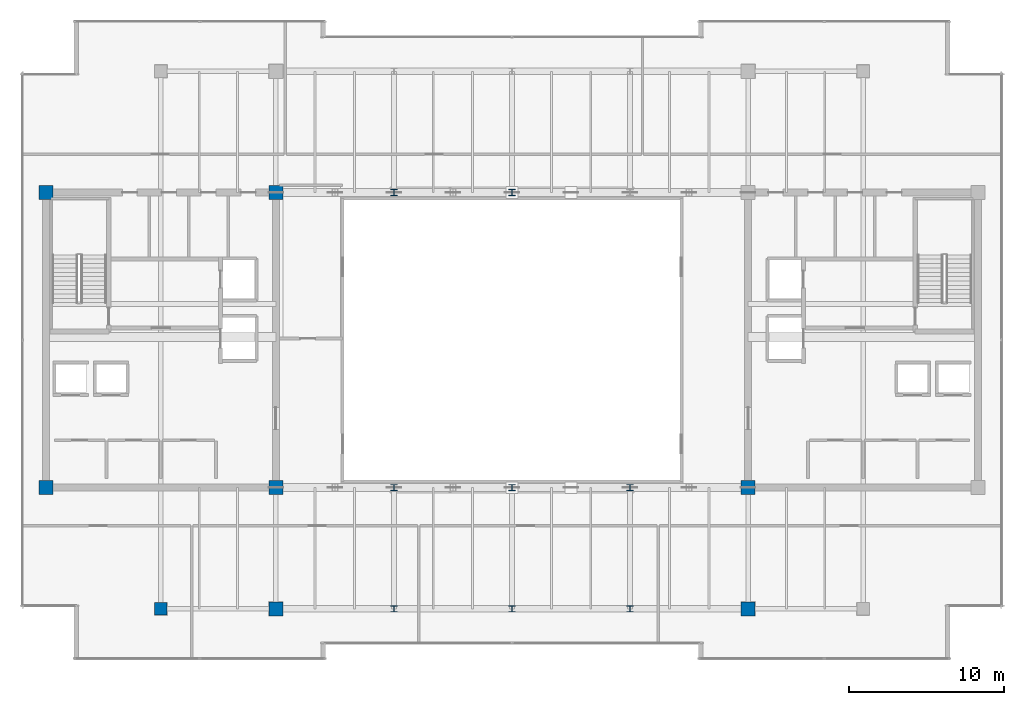
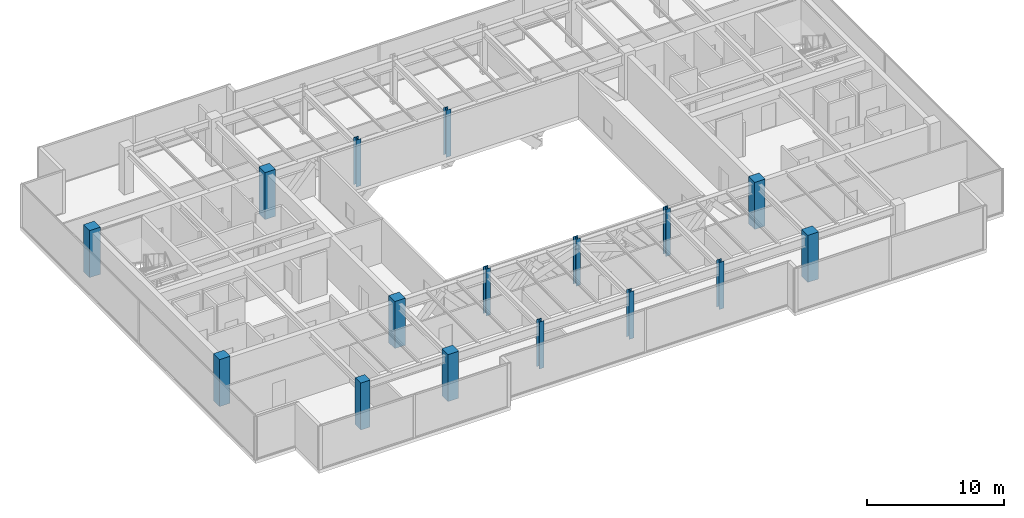
# One storey, part 1 of 32: 16 columns.
"""IFC4 building model written with IfcOpenShell, lengths in metres."""

from ifc_helpers import new_model, si_unit, direction, frame, origin, origin_2d, place, context, subcontext, project, spatial, rectangle, i_section, extrude, source, transform, mapped, material, material_profile, profile_set, type_object, type_shapes, element, save


model = new_model("IFC4")

# Units and contexts
model_context = context("Model", 3, precision=1e-05, world=origin(), true_north=direction((0.0, 1.0)))
body_context = subcontext(model_context, "Body", "Model", "MODEL_VIEW")
ifc_project = project(units=[si_unit("LENGTHUNIT", "METRE"), si_unit("AREAUNIT", "SQUARE_METRE"), si_unit("VOLUMEUNIT", "CUBIC_METRE"), si_unit("PLANEANGLEUNIT", "RADIAN"), si_unit("MASSUNIT", "GRAM", prefix="KILO")], contexts=[model_context])

# Site, building, storey
site_placement = place(None, origin())
site = spatial("IfcSite", under=ifc_project, at=site_placement, CompositionType="ELEMENT")
building_placement = place(site_placement, origin())
building = spatial("IfcBuilding", under=site, at=building_placement, Name="Haelvirn Gate Laboratories", CompositionType="ELEMENT")
storey_placement = place(building_placement, frame((0.0, 0.0, 314.39990234375)))
storey = spatial("IfcBuildingStorey", under=building, at=storey_placement, Name="L75", CompositionType="ELEMENT", Elevation=314.39990234375)

# Columns
ifc_material_1 = material(Name="Concrete C50/60", Category="concrete")
ifc_material_profile_1 = material_profile(ifc_material_1, rectangle(XDim=0.800048828125, YDim=0.800048828125, at=origin_2d()), Name="RC-800x800")
ifc_profile_set_1 = profile_set([ifc_material_profile_1], Name="Concrete C50/60")
column_type_1 = type_object("IfcColumnType", Name="COL-RC-800", PredefinedType="COLUMN", material=ifc_profile_set_1)
shared_shape_1 = source(origin(), body_context, "Body", "SweptSolid", [
    extrude(rectangle(XDim=0.800048828125, YDim=0.800048828125, at=origin_2d()), origin(), (0.0, 0.0, 1.0), 4.2001953125),
])
type_shapes(column_type_1, [shared_shape_1])
column_placement = place(storey_placement, frame((14.800048828125, 7.0, 0.0), z_axis=(0.0, 0.0, 1.0), x_axis=(1.0, 0.0, 0.0)))
element("IfcColumn", 1, at=column_placement, inside=storey, type_object=column_type_1, Name="L75 Column 3B", PredefinedType="COLUMN", context=body_context, shape_type="MappedRepresentation", body=[
    mapped(shared_shape_1, transform((0.0, 0.0, 0.0), scale=1.0)),
])
ifc_material_profile_2 = material_profile(ifc_material_1, rectangle(XDim=0.89990234375, YDim=0.89990234375, at=origin_2d()), Name="RC-900x900")
ifc_profile_set_2 = profile_set([ifc_material_profile_2], Name="Concrete C50/60")
column_type_2 = type_object("IfcColumnType", Name="COL-RC-900", PredefinedType="COLUMN", material=ifc_profile_set_2)
shared_shape_2 = source(origin(), body_context, "Body", "SweptSolid", [
    extrude(rectangle(XDim=0.89990234375, YDim=0.89990234375, at=origin_2d()), origin(), (0.0, 0.0, 1.0), 4.2001953125),
])
type_shapes(column_type_2, [shared_shape_2])
for number, where, z_axis, x_axis, name in (
    (2, (22.199951171875, 7.0, 0.0), (0.0, 0.0, 1.0), (1.0, 0.0, 0.0), "L75 Column 4B"),
    (3, (7.39990234375, 14.800048828125, 0.0), (0.0, 0.0, 1.0), (1.0, 0.0, 0.0), "L75 Column 2C"),
    (4, (22.199951171875, 14.800048828125, 0.0), (0.0, 0.0, 1.0), (1.0, 0.0, 0.0), "L75 Column 4C"),
    (5, (7.39990234375, 33.800048828125, 0.0), (0.0, 0.0, 1.0), (1.0, 0.0, 0.0), "L75 Column 2F"),
    (6, (22.199951171875, 33.800048828125, 0.0), (0.0, 0.0, 1.0), (1.0, 0.0, 0.0), "L75 Column 4F"),
    (7, (52.60009765625, 7.0, 0.0), (0.0, 0.0, 1.0), (1.0, 0.0, 0.0), "L75 Column 8B"),
    (8, (52.60009765625, 14.800048828125, 0.0), (0.0, 0.0, 1.0), (1.0, 0.0, 0.0), "L75 Column 8C"),
):
    element("IfcColumn", number, at=place(storey_placement, frame(where, z_axis=z_axis, x_axis=x_axis)), inside=storey, type_object=column_type_2, Name=name, PredefinedType="COLUMN", context=body_context, shape_type="MappedRepresentation", body=[
        mapped(shared_shape_2, transform((0.0, 0.0, 0.0), scale=1.0)),
    ])
ifc_material_2 = material(Name="Steel SM355", Category="steel")
ifc_material_profile_3 = material_profile(ifc_material_2, i_section(OverallWidth=0.39990234375, OverallDepth=0.39990234375, WebThickness=0.02099609375, FlangeThickness=0.02099609375, at=origin_2d()), Name="H-400x400x21x21")
ifc_profile_set_3 = profile_set([ifc_material_profile_3], Name="Steel SM355")
column_type_3 = type_object("IfcColumnType", Name="COL-H-400", PredefinedType="COLUMN", material=ifc_profile_set_3)
shared_shape_3 = source(origin(), body_context, "Body", "SweptSolid", [
    extrude(i_section(OverallWidth=0.39990234375, OverallDepth=0.39990234375, WebThickness=0.02099609375, FlangeThickness=0.02099609375, at=origin_2d()), origin(), (0.0, 0.0, 1.0), 4.2001953125),
])
type_shapes(column_type_3, [shared_shape_3])
for number, where, z_axis, x_axis, name in (
    (9, (29.800048828125, 7.0, 0.0), (0.0, 0.0, 1.0), (1.0, 0.0, 0.0), "L75 Column 5B"),
    (10, (29.800048828125, 14.800048828125, 0.0), (0.0, 0.0, 1.0), (1.0, 0.0, 0.0), "L75 Column 5C"),
    (11, (29.800048828125, 33.800048828125, 0.0), (0.0, 0.0, 1.0), (1.0, 0.0, 0.0), "L75 Column 5F"),
    (12, (37.39990234375, 7.0, 0.0), (0.0, 0.0, 1.0), (1.0, 0.0, 0.0), "L75 Column 6B"),
    (13, (37.39990234375, 14.800048828125, 0.0), (0.0, 0.0, 1.0), (1.0, 0.0, 0.0), "L75 Column 6C"),
    (14, (37.39990234375, 33.800048828125, 0.0), (0.0, 0.0, 1.0), (1.0, 0.0, 0.0), "L75 Column 6F"),
    (15, (45.0, 7.0, 0.0), (0.0, 0.0, 1.0), (1.0, 0.0, 0.0), "L75 Column 7B"),
    (16, (45.0, 14.800048828125, 0.0), (0.0, 0.0, 1.0), (1.0, 0.0, 0.0), "L75 Column 7C"),
):
    element("IfcColumn", number, at=place(storey_placement, frame(where, z_axis=z_axis, x_axis=x_axis)), inside=storey, type_object=column_type_3, Name=name, PredefinedType="COLUMN", context=body_context, shape_type="MappedRepresentation", body=[
        mapped(shared_shape_3, transform((0.0, 0.0, 0.0), scale=1.0)),
    ])

save(model, "model.ifc")
